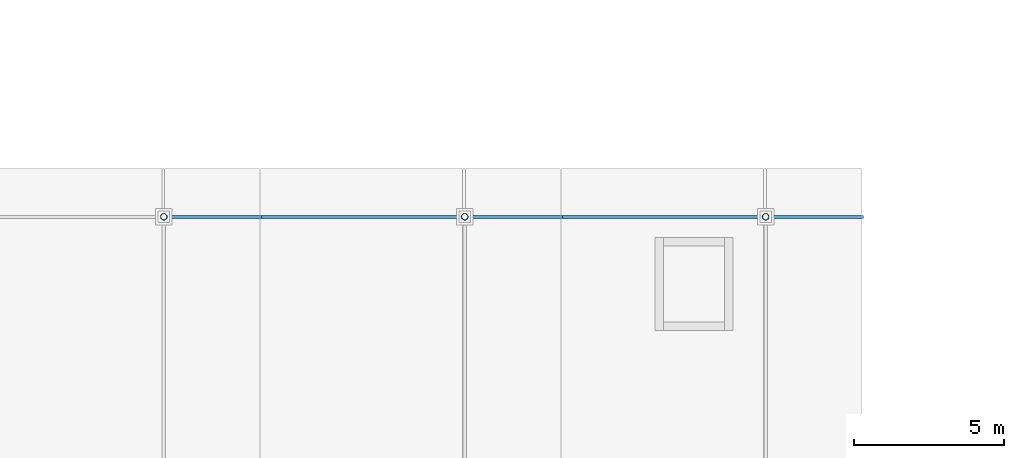
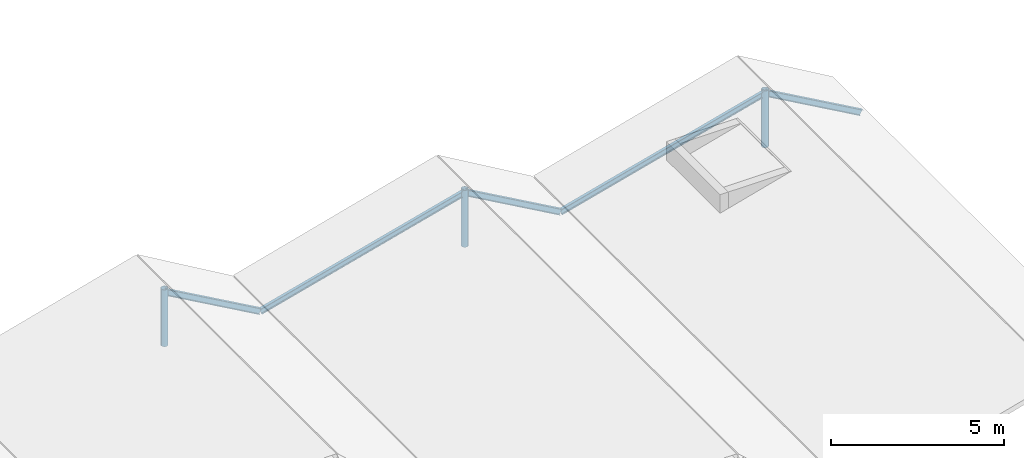
# One storey, part 8 of 70: 5 beams, 3 members.
"""IFC4 building model written with IfcOpenShell, lengths in metres."""

import ifcopenshell
import ifcopenshell.guid

model = None  # the IFC model being written
_history = None  # IfcOwnerHistory: only IFC2X3 demands one
_inside = {}  # id of a spatial element -> (the spatial element, [elements in it])
_under = {}  # id of a project, library or spatial element -> (it, [spatial elements below it])
_declared = {}  # id of a project -> (the project, [libraries it declares])
_typed = {}  # id of a type object -> (the type object, [elements of that type])
_made_of = {}  # id of a material, layer set ... -> (it, [elements and type objects made of it])


def new_model(schema):
    """Start an empty IFC model of exactly this schema.

    Asked for "IFC4X3", IfcOpenShell would pick the latest addendum, in which some entities
    have other attributes; the version numbers below select the first issue.
    IFC2X3 requires an IfcOwnerHistory on every rooted entity: one is made here for all.
    """
    global model, _history
    if schema == "IFC4X3":
        model = ifcopenshell.file(schema_version=(4, 3, 0, 0))
    else:
        model = ifcopenshell.file(schema=schema)
    _inside.clear()
    _under.clear()
    _declared.clear()
    _typed.clear()
    _made_of.clear()
    _history = None
    if model.schema == "IFC2X3":
        org = make("IfcOrganization", Name="unknown")
        user = make(
            "IfcPersonAndOrganization",
            ThePerson=make("IfcPerson", FamilyName="unknown"),
            TheOrganization=org,
        )
        app = make(
            "IfcApplication",
            ApplicationDeveloper=org,
            Version="unknown",
            ApplicationFullName="unknown",
            ApplicationIdentifier="unknown",
        )
        _history = make(
            "IfcOwnerHistory",
            OwningUser=user,
            OwningApplication=app,
            ChangeAction="ADDED",
            CreationDate=0,
        )
    return model


def make(cls, **values):
    """One entity of the class cls with the attributes given. An attribute that is None is left unset."""
    return model.create_entity(
        cls, **{name: value for name, value in values.items() if value is not None}
    )


def rooted(cls, **values):
    """An entity with a GlobalId (a new one), such as an element, a storey or a relation."""
    return make(cls, GlobalId=ifcopenshell.guid.new(), OwnerHistory=_history, **values)


def si_unit(unit_type, name, prefix=None):
    """IfcSIUnit, for example si_unit("LENGTHUNIT", "METRE", prefix="MILLI")."""
    return make("IfcSIUnit", UnitType=unit_type, Prefix=prefix, Name=name)


def assignment(units):
    """IfcUnitAssignment: the units of a project."""
    return None if units is None else make("IfcUnitAssignment", Units=units)


def point(xyz):
    """IfcCartesianPoint."""
    return None if xyz is None else make("IfcCartesianPoint", Coordinates=xyz)


def direction(xyz):
    """IfcDirection."""
    return None if xyz is None else make("IfcDirection", DirectionRatios=xyz)


def frame(location, z_axis=None, x_axis=None):
    """IfcAxis2Placement3D, a coordinate frame: its origin and axes. An axis left out is left unset."""
    return make(
        "IfcAxis2Placement3D",
        Location=point(location),
        Axis=direction(z_axis),
        RefDirection=direction(x_axis),
    )


def frame_2d(location, x_axis=None):
    """IfcAxis2Placement2D, a coordinate frame in the plane: its origin and x axis."""
    return make(
        "IfcAxis2Placement2D", Location=point(location), RefDirection=direction(x_axis)
    )


def origin():
    """The frame at (0, 0, 0) with its axes left unset."""
    return frame((0.0, 0.0, 0.0))


def origin_2d():
    """The frame at (0, 0) in the plane with its x axis left unset."""
    return frame_2d((0.0, 0.0))


def place(relative_to, where):
    """IfcLocalPlacement: puts the frame where relative to a parent placement (None: the world)."""
    return make(
        "IfcLocalPlacement", PlacementRelTo=relative_to, RelativePlacement=where
    )


def context(
    kind, dimensions, precision=None, world=None, true_north=None, identifier=None
):
    """IfcGeometricRepresentationContext, for example the 3D "Model" context."""
    return make(
        "IfcGeometricRepresentationContext",
        ContextIdentifier=identifier,
        ContextType=kind,
        CoordinateSpaceDimension=dimensions,
        Precision=precision,
        WorldCoordinateSystem=world,
        TrueNorth=true_north,
    )


def subcontext(parent, identifier, kind, view, scale=None):
    """IfcGeometricRepresentationSubContext, for example "Body" below "Model"."""
    return make(
        "IfcGeometricRepresentationSubContext",
        ContextIdentifier=identifier,
        ContextType=kind,
        ParentContext=parent,
        TargetScale=scale,
        TargetView=view,
    )


def project(units=None, contexts=None):
    """IfcProject with its units and contexts."""
    return rooted(
        "IfcProject",
        Name="project",
        RepresentationContexts=contexts,
        UnitsInContext=assignment(units),
    )


def spatial(cls, under=None, at=None, **own):
    """A site, building, storey or space (cls), placed at a placement, below another one or the project."""
    s = rooted(cls, ObjectPlacement=at, **own)
    if under is not None:
        _under.setdefault(under.id(), (under, []))[1].append(s)
    return s


def profile(cls, at=None, kind="AREA", **sizes):
    """A parametric profile (cls). Its sizes go by their IFC names, for example OverallWidth=200.0."""
    return make(cls, ProfileType=kind, Position=at, **sizes)


def hollow_circle(**sizes):
    """IfcCircleHollowProfileDef."""
    return profile("IfcCircleHollowProfileDef", **sizes)


def i_section(**sizes):
    """IfcIShapeProfileDef."""
    return profile("IfcIShapeProfileDef", **sizes)


def extrude(swept, where, along, depth):
    """IfcExtrudedAreaSolid: the profile swept, set in the frame where, extruded along a direction by depth."""
    return make(
        "IfcExtrudedAreaSolid",
        SweptArea=swept,
        Position=where,
        ExtrudedDirection=direction(along),
        Depth=depth,
    )


def shape(context_of_items, identifier, shape_type, items):
    """IfcShapeRepresentation: the items that make up one representation, for example the "Body"."""
    return make(
        "IfcShapeRepresentation",
        ContextOfItems=context_of_items,
        RepresentationIdentifier=identifier,
        RepresentationType=shape_type,
        Items=items,
    )


def material(Name=None, Category=None):
    """IfcMaterial."""
    return make("IfcMaterial", Name=Name, Category=Category)


def material_profile(
    of_material, cross_section, Name=None, Category=None, Priority=None
):
    """IfcMaterialProfile: a cross section and its material."""
    return make(
        "IfcMaterialProfile",
        Name=Name,
        Material=of_material,
        Profile=cross_section,
        Priority=Priority,
        Category=Category,
    )


def profile_set(profiles, Name=None, composite=None):
    """IfcMaterialProfileSet."""
    return make(
        "IfcMaterialProfileSet",
        Name=Name,
        MaterialProfiles=profiles,
        CompositeProfile=composite,
    )


def made_of(thing, what):
    """Note that an element or type object is made of a material, layer set ...; save() writes the relation."""
    if what is not None:
        _made_of.setdefault(what.id(), (what, []))[1].append(thing)
    return thing


def type_object(cls, material=None, **own):
    """A type object (cls), such as IfcWallType, which elements share."""
    return made_of(rooted(cls, **own), material)


def element(
    cls,
    number,
    at=None,
    inside=None,
    cuts=None,
    type_object=None,
    material=None,
    context=None,
    identifier="Body",
    shape_type=None,
    held_by="IfcProductDefinitionShape",
    body=None,
    shapes=None,
    **own,
):
    """One element of the class cls, such as IfcWall. Its Tag is "e" and its number.

    at: its placement. inside: the storey or other place that contains it. cuts: it is an
    opening in that element (IfcRelVoidsElement). A single representation is given by context,
    identifier, shape_type and body (its items); several are given by shapes. held_by: the class
    of the entity that holds the representations. save() writes the other relations.
    """
    e = rooted(cls, Tag="e%d" % number, ObjectPlacement=at, **own)
    if body is not None:
        shapes = [shape(context, identifier, shape_type, body)]
    if shapes is not None:
        e.Representation = make(held_by, Representations=shapes)
    if inside is not None:
        _inside.setdefault(inside.id(), (inside, []))[1].append(e)
    if cuts is not None:
        rooted(
            "IfcRelVoidsElement", RelatingBuildingElement=cuts, RelatedOpeningElement=e
        )
    if type_object is not None:
        _typed.setdefault(type_object.id(), (type_object, []))[1].append(e)
    return made_of(e, material)


def aggregate(whole, parts):
    """IfcRelAggregates: a whole, such as a stair, and the parts it consists of."""
    return rooted("IfcRelAggregates", RelatingObject=whole, RelatedObjects=parts)


def save(model, path):
    """Write the relations noted so far, then the file.

    IfcRelAggregates (storeys below a building ...), IfcRelContainedInSpatialStructure (elements
    in a storey), IfcRelDefinesByType, IfcRelAssociatesMaterial and IfcRelDeclares: one each for
    every whole, place, type object, material and project.
    """
    for whole, parts in _under.values():
        aggregate(whole, parts)
    for where, things in _inside.values():
        rooted(
            "IfcRelContainedInSpatialStructure",
            RelatedElements=things,
            RelatingStructure=where,
        )
    for kind, things in _typed.values():
        rooted("IfcRelDefinesByType", RelatedObjects=things, RelatingType=kind)
    for what, things in _made_of.values():
        rooted("IfcRelAssociatesMaterial", RelatedObjects=things, RelatingMaterial=what)
    for by, libraries in _declared.values():
        rooted("IfcRelDeclares", RelatingContext=by, RelatedDefinitions=libraries)
    model.write(path)


model = new_model("IFC4")

# Units and contexts
model_context = context("Model", 3, precision=1e-05, world=origin(), true_north=direction((0.0, 1.0)))
body_context = subcontext(model_context, "Body", "Model", "MODEL_VIEW")
ifc_project = project(units=[si_unit("LENGTHUNIT", "METRE"), si_unit("AREAUNIT", "SQUARE_METRE"), si_unit("VOLUMEUNIT", "CUBIC_METRE"), si_unit("PLANEANGLEUNIT", "RADIAN"), si_unit("MASSUNIT", "GRAM", prefix="KILO")], contexts=[model_context])

# Site, building, storey
site_placement = place(None, origin())
site = spatial("IfcSite", under=ifc_project, at=site_placement, CompositionType="ELEMENT")
building_placement = place(site_placement, origin())
building = spatial("IfcBuilding", under=site, at=building_placement, Name="Zimvara Arc Housing Community", CompositionType="ELEMENT")
storey_placement = place(building_placement, frame((0.0, 0.0, 8.10009765625)))
storey = spatial("IfcBuildingStorey", under=building, at=storey_placement, Name="L02", CompositionType="ELEMENT", Elevation=8.10009765625)

# Beams
ifc_material_1 = material(Name="Steel S355", Category="steel")
ifc_material_profile_1 = material_profile(ifc_material_1, i_section(OverallWidth=0.10009765625, OverallDepth=0.199951171875, WebThickness=0.005615234375, FlangeThickness=0.008544921875, FilletRadius=0.011962890625, at=origin_2d()), Name="IPE 200")
ifc_profile_set_1 = profile_set([ifc_material_profile_1], Name="Steel S355")
beam_type = type_object("IfcBeamType", Name="BM-ST-IPE200", PredefinedType="JOIST", material=ifc_profile_set_1)
beam_1_placement = place(storey_placement, frame((34.800048828125, 19.60009765625, 1.119873046875), z_axis=(0.870400769077, 0.0, -0.492343885095), x_axis=(0.0, 1.0, 0.0)))
element("IfcBeam", 1, at=beam_1_placement, inside=storey, type_object=beam_type, Name="bm:shops:L02:raf_e:b3:y1", PredefinedType="JOIST", context=body_context, shape_type="SweptSolid", body=[
    extrude(i_section(OverallWidth=0.10009765625, OverallDepth=0.199951171875, WebThickness=0.005615234375, FlangeThickness=0.008544921875, FilletRadius=0.011962890625, at=origin_2d()), origin(), (0.0, 0.0, 1.0), 3.676513671875),
])
beam_2_placement = place(storey_placement, frame((38.0, 19.60009765625, -0.690185546875), z_axis=(0.966351161922, 0.0, 0.257226421373), x_axis=(0.0, 1.0, 0.0)))
element("IfcBeam", 2, at=beam_2_placement, inside=storey, type_object=beam_type, Name="bm:shops:L02:raf_w:b4:y1", PredefinedType="JOIST", context=body_context, shape_type="SweptSolid", body=[
    extrude(i_section(OverallWidth=0.10009765625, OverallDepth=0.199951171875, WebThickness=0.005615234375, FlangeThickness=0.008544921875, FilletRadius=0.011962890625, at=origin_2d()), origin(), (0.0, 0.0, 1.0), 7.036865234375),
])
beam_3_placement = place(storey_placement, frame((44.800048828125, 19.60009765625, 1.119873046875), z_axis=(0.870400769077, 0.0, -0.492343885095), x_axis=(0.0, 1.0, 0.0)))
element("IfcBeam", 3, at=beam_3_placement, inside=storey, type_object=beam_type, Name="bm:shops:L02:raf_e:b4:y1", PredefinedType="JOIST", context=body_context, shape_type="SweptSolid", body=[
    extrude(i_section(OverallWidth=0.10009765625, OverallDepth=0.199951171875, WebThickness=0.005615234375, FlangeThickness=0.008544921875, FilletRadius=0.011962890625, at=origin_2d()), origin(), (0.0, 0.0, 1.0), 3.676513671875),
])
beam_4_placement = place(storey_placement, frame((48.0, 19.60009765625, -0.690185546875), z_axis=(0.966351161922, 0.0, 0.257226421373), x_axis=(0.0, 1.0, 0.0)))
element("IfcBeam", 4, at=beam_4_placement, inside=storey, type_object=beam_type, Name="bm:shops:L02:raf_w:b5:y1", PredefinedType="JOIST", context=body_context, shape_type="SweptSolid", body=[
    extrude(i_section(OverallWidth=0.10009765625, OverallDepth=0.199951171875, WebThickness=0.005615234375, FlangeThickness=0.008544921875, FilletRadius=0.011962890625, at=origin_2d()), origin(), (0.0, 0.0, 1.0), 7.036865234375),
])
beam_5_placement = place(storey_placement, frame((54.800048828125, 19.60009765625, 1.119873046875), z_axis=(0.870400769077, 0.0, -0.492343885095), x_axis=(0.0, 1.0, 0.0)))
element("IfcBeam", 5, at=beam_5_placement, inside=storey, type_object=beam_type, Name="bm:shops:L02:raf_e:b5:y1", PredefinedType="JOIST", context=body_context, shape_type="SweptSolid", body=[
    extrude(i_section(OverallWidth=0.10009765625, OverallDepth=0.199951171875, WebThickness=0.005615234375, FlangeThickness=0.008544921875, FilletRadius=0.011962890625, at=origin_2d()), origin(), (0.0, 0.0, 1.0), 3.676513671875),
])

# Members
ifc_material_2 = material(Name="Steel S355", Category="steel")
ifc_material_profile_2 = material_profile(ifc_material_2, hollow_circle(Radius=0.109619140625, WallThickness=0.008056640625, at=origin_2d()), Name="CHS 219.1x8.0")
ifc_profile_set_2 = profile_set([ifc_material_profile_2], Name="Steel S355")
member_type = type_object("IfcMemberType", Name="MB-STRUT-CHS219", PredefinedType="STRUT", material=ifc_profile_set_2)
for number, where, z_axis, x_axis, name in (
    (6, (34.800048828125, 19.60009765625, -0.75), (0.0, 0.0, 1.0), (1.0, 0.0, 0.0), "mb:shops:L02:crest_strut:b3:y1"),
    (7, (44.800048828125, 19.60009765625, -0.75), (0.0, 0.0, 1.0), (1.0, 0.0, 0.0), "mb:shops:L02:crest_strut:b4:y1"),
    (8, (54.800048828125, 19.60009765625, -0.75), (0.0, 0.0, 1.0), (1.0, 0.0, 0.0), "mb:shops:L02:crest_strut:b5:y1"),
):
    element("IfcMember", number, at=place(storey_placement, frame(where, z_axis=z_axis, x_axis=x_axis)), inside=storey, type_object=member_type, Name=name, PredefinedType="STRUT", context=body_context, shape_type="SweptSolid", body=[
        extrude(hollow_circle(Radius=0.109619140625, WallThickness=0.008056640625, at=origin_2d()), origin(), (0.0, 0.0, 1.0), 2.0),
    ])

save(model, "model.ifc")
